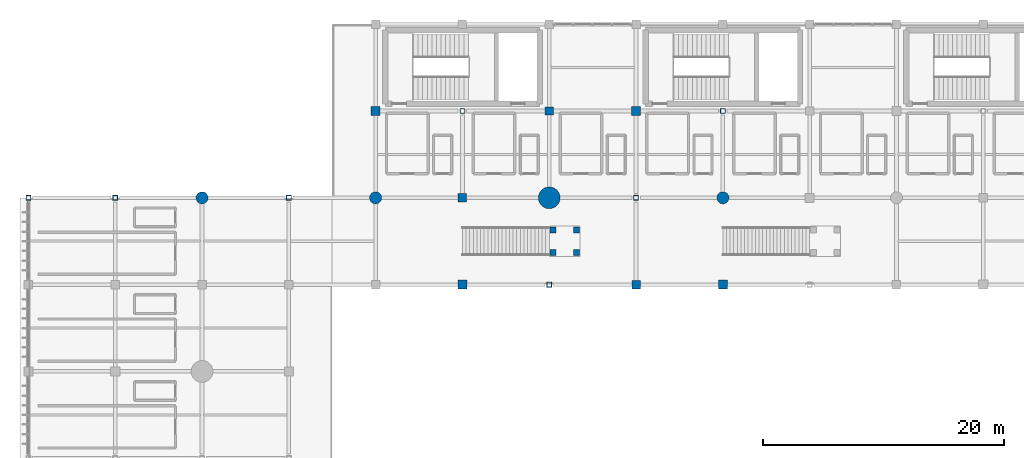
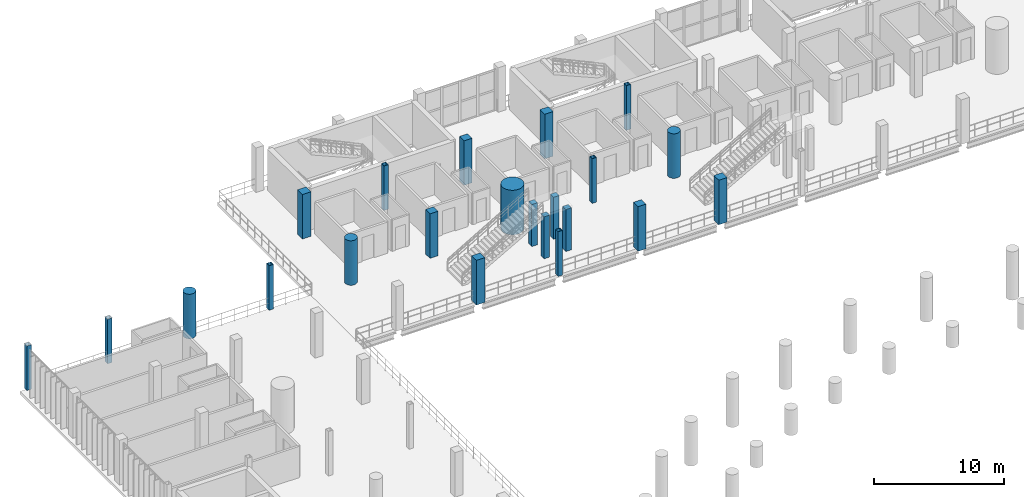
# One storey, part 10 of 130: 22 columns.
"""IFC4 building model written with IfcOpenShell, lengths in metres."""

from ifc_helpers import new_model, si_unit, direction, frame, origin, origin_2d, place, context, subcontext, project, spatial, rectangle, hollow_rectangle, circle, extrude, material, material_profile, profile_set, type_object, element, save


model = new_model("IFC4")

# Units and contexts
model_context = context("Model", 3, precision=1e-05, world=origin(), true_north=direction((0.0, 1.0)))
body_context = subcontext(model_context, "Body", "Model", "MODEL_VIEW")
ifc_project = project(units=[si_unit("LENGTHUNIT", "METRE"), si_unit("AREAUNIT", "SQUARE_METRE"), si_unit("VOLUMEUNIT", "CUBIC_METRE"), si_unit("PLANEANGLEUNIT", "RADIAN"), si_unit("MASSUNIT", "GRAM", prefix="KILO")], contexts=[model_context])

# Site, building, storey
site_placement = place(None, origin())
site = spatial("IfcSite", under=ifc_project, at=site_placement, CompositionType="ELEMENT")
building_placement = place(site_placement, origin())
building = spatial("IfcBuilding", under=site, at=building_placement, Name="Qandorah Velis Arena", CompositionType="ELEMENT")
storey_placement = place(building_placement, frame((0.0, 0.0, 9.60009765625)))
storey = spatial("IfcBuildingStorey", under=building, at=storey_placement, Name="L02", CompositionType="ELEMENT", Elevation=9.60009765625)

# Columns
ifc_material_1 = material(Name="Concrete C50/60", Category="concrete")
ifc_material_profile_1 = material_profile(ifc_material_1, circle(Radius=0.89990234375, at=origin_2d()), Name="MC D1800")
ifc_profile_set_1 = profile_set([ifc_material_profile_1], Name="Concrete C50/60")
column_type_1 = type_object("IfcColumnType", Name="STR-COL-MC1800", PredefinedType="COLUMN", material=ifc_profile_set_1)
column_placement = place(storey_placement, frame((43.199951171875, 115.199951171875, 0.0), z_axis=(0.0, 0.0, 1.0), x_axis=(1.0, 0.0, 0.0)))
element("IfcColumn", 1, at=column_placement, inside=storey, type_object=column_type_1, Name="Mega column MC6 (L02)", PredefinedType="COLUMN", context=body_context, shape_type="SweptSolid", body=[
    extrude(circle(Radius=0.89990234375, at=origin_2d()), origin(), (0.0, 0.0, 1.0), 4.199951171875),
])
ifc_material_2 = material(Name="Concrete C40/50", Category="concrete")
ifc_material_profile_2 = material_profile(ifc_material_2, rectangle(XDim=0.5, YDim=0.5, at=origin_2d()), Name="RC COL 500x500")
ifc_profile_set_2 = profile_set([ifc_material_profile_2], Name="Concrete C40/50")
column_type_2 = type_object("IfcColumnType", Name="STR-COL-RC500", PredefinedType="COLUMN", material=ifc_profile_set_2)
for number, where, z_axis, x_axis, name in (
    (2, (43.5, 110.64990234375, 0.0), (0.0, 0.0, 1.0), (1.0, 0.0, 0.0), "Vomitory VS12 L02 landing column 1"),
    (3, (45.449951171875, 110.64990234375, 0.0), (0.0, 0.0, 1.0), (1.0, 0.0, 0.0), "Vomitory VS12 L02 landing column 2"),
    (4, (43.5, 112.550048828125, 0.0), (0.0, 0.0, 1.0), (1.0, 0.0, 0.0), "Vomitory VS12 L02 landing column 3"),
    (5, (45.449951171875, 112.550048828125, 0.0), (0.0, 0.0, 1.0), (1.0, 0.0, 0.0), "Vomitory VS12 L02 landing column 4"),
):
    element("IfcColumn", number, at=place(storey_placement, frame(where, z_axis=z_axis, x_axis=x_axis)), inside=storey, type_object=column_type_2, Name=name, PredefinedType="COLUMN", context=body_context, shape_type="SweptSolid", body=[
        extrude(rectangle(XDim=0.5, YDim=0.5, at=origin_2d()), origin(), (0.0, 0.0, 1.0), 3.9599609375),
    ])
ifc_material_profile_3 = material_profile(ifc_material_2, rectangle(XDim=0.699951171875, YDim=0.699951171875, at=origin_2d()), Name="RC COL 700x700")
ifc_profile_set_3 = profile_set([ifc_material_profile_3], Name="Concrete C40/50")
column_type_3 = type_object("IfcColumnType", Name="STR-COL-RC700", PredefinedType="COLUMN", material=ifc_profile_set_3)
for number, where, z_axis, x_axis, name in (
    (6, (36.0, 115.199951171875, 0.0), (0.0, 0.0, 1.0), (1.0, 0.0, 0.0), "Structural column L02-073"),
    (7, (43.199951171875, 122.39990234375, 0.0), (0.0, 0.0, 1.0), (1.0, 0.0, 0.0), "Structural column L02-082"),
    (8, (50.39990234375, 108.0, 0.0), (0.0, 0.0, 1.0), (1.0, 0.0, 0.0), "Structural column L02-088"),
):
    element("IfcColumn", number, at=place(storey_placement, frame(where, z_axis=z_axis, x_axis=x_axis)), inside=storey, type_object=column_type_3, Name=name, PredefinedType="COLUMN", context=body_context, shape_type="SweptSolid", body=[
        extrude(rectangle(XDim=0.699951171875, YDim=0.699951171875, at=origin_2d()), origin(), (0.0, 0.0, 1.0), 4.199951171875),
    ])
ifc_material_profile_4 = material_profile(ifc_material_2, rectangle(XDim=0.75, YDim=0.75, at=origin_2d()), Name="RC COL 750x750")
ifc_profile_set_4 = profile_set([ifc_material_profile_4], Name="Concrete C40/50")
column_type_4 = type_object("IfcColumnType", Name="STR-COL-RC750", PredefinedType="COLUMN", material=ifc_profile_set_4)
for number, where, z_axis, x_axis, name in (
    (9, (28.800048828125, 122.39990234375, 0.0), (0.0, 0.0, 1.0), (1.0, 0.0, 0.0), "Structural column L02-066"),
    (10, (36.0, 108.0, 0.0), (0.0, 0.0, 1.0), (1.0, 0.0, 0.0), "Structural column L02-072"),
    (11, (50.39990234375, 122.39990234375, 0.0), (0.0, 0.0, 1.0), (1.0, 0.0, 0.0), "Structural column L02-090"),
    (12, (57.60009765625, 108.0, 0.0), (0.0, 0.0, 1.0), (1.0, 0.0, 0.0), "Structural column L02-096"),
):
    element("IfcColumn", number, at=place(storey_placement, frame(where, z_axis=z_axis, x_axis=x_axis)), inside=storey, type_object=column_type_4, Name=name, PredefinedType="COLUMN", context=body_context, shape_type="SweptSolid", body=[
        extrude(rectangle(XDim=0.75, YDim=0.75, at=origin_2d()), origin(), (0.0, 0.0, 1.0), 4.199951171875),
    ])
ifc_material_profile_5 = material_profile(ifc_material_2, circle(Radius=0.5, at=origin_2d()), Name="RC D1000")
ifc_profile_set_5 = profile_set([ifc_material_profile_5], Name="Concrete C40/50")
column_type_5 = type_object("IfcColumnType", Name="STR-COL-RCD1000", PredefinedType="COLUMN", material=ifc_profile_set_5)
for number, where, z_axis, x_axis, name in (
    (13, (14.39990234375, 115.199951171875, 0.0), (0.0, 0.0, 1.0), (1.0, 0.0, 0.0), "Bowl drum ring column L02-044"),
    (14, (28.800048828125, 115.199951171875, 0.0), (0.0, 0.0, 1.0), (1.0, 0.0, 0.0), "Bowl drum ring column L02-065"),
    (15, (57.60009765625, 115.199951171875, 0.0), (0.0, 0.0, 1.0), (1.0, 0.0, 0.0), "Bowl drum ring column L02-097"),
):
    element("IfcColumn", number, at=place(storey_placement, frame(where, z_axis=z_axis, x_axis=x_axis)), inside=storey, type_object=column_type_5, Name=name, PredefinedType="COLUMN", context=body_context, shape_type="SweptSolid", body=[
        extrude(circle(Radius=0.5, at=origin_2d()), origin(), (0.0, 0.0, 1.0), 4.199951171875),
    ])
ifc_material_3 = material(Name="Steel S355", Category="steel")
ifc_material_profile_6 = material_profile(ifc_material_3, hollow_rectangle(XDim=0.39990234375, YDim=0.39990234375, WallThickness=0.02001953125, at=origin_2d()), Name="SHS 400x400x20")
ifc_profile_set_6 = profile_set([ifc_material_profile_6], Name="Steel S355")
column_type_6 = type_object("IfcColumnType", Name="STR-COL-SHS400", PredefinedType="COLUMN", material=ifc_profile_set_6)
for number, where, z_axis, x_axis, name in (
    (16, (0.0, 115.199951171875, 0.0), (0.0, 0.0, 1.0), (1.0, 0.0, 0.0), "Structural column L02-014"),
    (17, (7.199951171875, 115.199951171875, 0.0), (0.0, 0.0, 1.0), (1.0, 0.0, 0.0), "Structural column L02-029"),
    (18, (21.60009765625, 115.199951171875, 0.0), (0.0, 0.0, 1.0), (1.0, 0.0, 0.0), "Structural column L02-059"),
    (19, (36.0, 122.39990234375, 0.0), (0.0, 0.0, 1.0), (1.0, 0.0, 0.0), "Structural column L02-074"),
    (20, (43.199951171875, 108.0, 0.0), (0.0, 0.0, 1.0), (1.0, 0.0, 0.0), "Structural column L02-080"),
    (21, (50.39990234375, 115.199951171875, 0.0), (0.0, 0.0, 1.0), (1.0, 0.0, 0.0), "Structural column L02-089"),
    (22, (57.60009765625, 122.39990234375, 0.0), (0.0, 0.0, 1.0), (1.0, 0.0, 0.0), "Structural column L02-098"),
):
    element("IfcColumn", number, at=place(storey_placement, frame(where, z_axis=z_axis, x_axis=x_axis)), inside=storey, type_object=column_type_6, Name=name, PredefinedType="COLUMN", context=body_context, shape_type="SweptSolid", body=[
        extrude(hollow_rectangle(XDim=0.39990234375, YDim=0.39990234375, WallThickness=0.02001953125, at=origin_2d()), origin(), (0.0, 0.0, 1.0), 4.199951171875),
    ])

save(model, "model.ifc")
